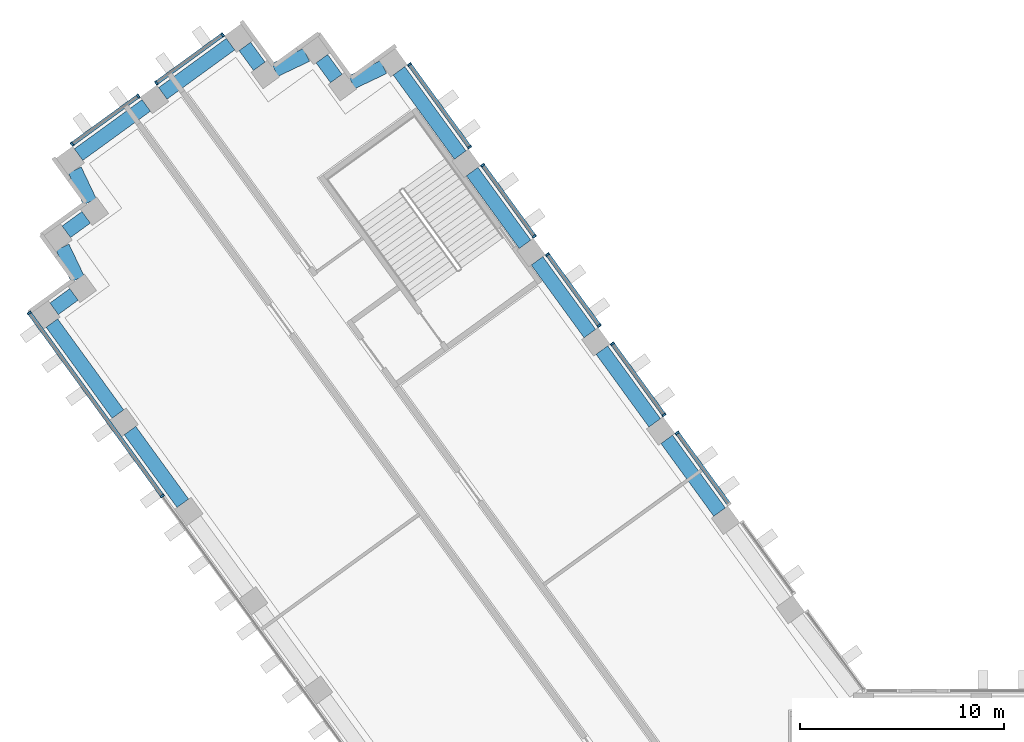
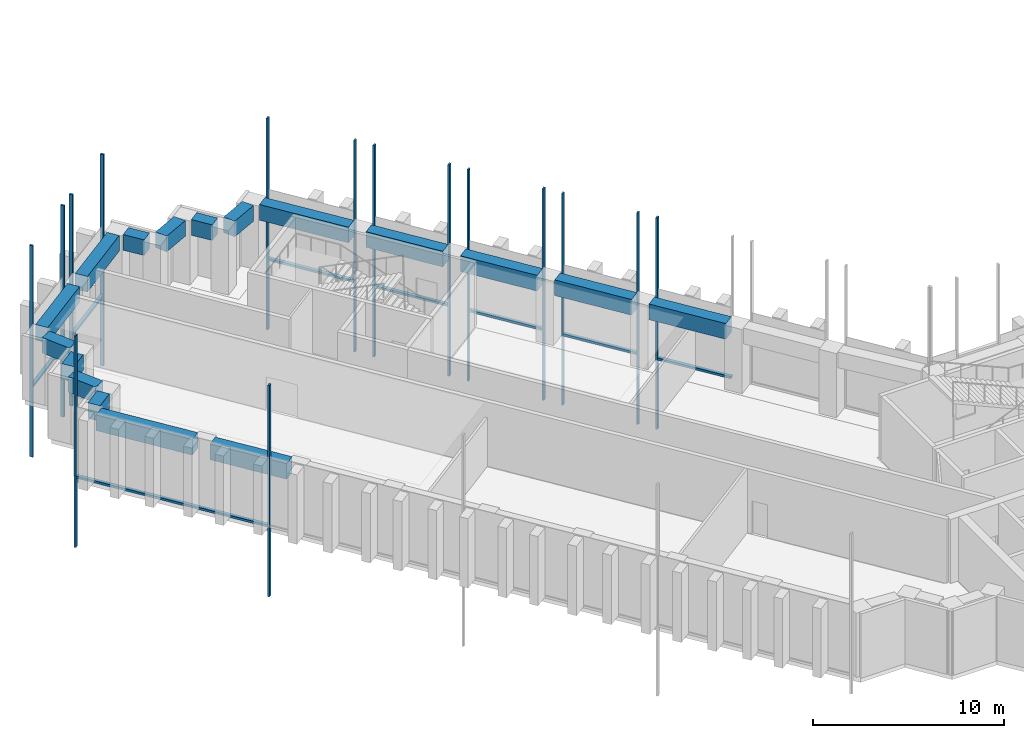
# One storey, part 4 of 18: 23 members, 17 beams, 8 elements without a shape of their own.
"""IFC4 building model written with IfcOpenShell, lengths in metres."""

import ifcopenshell
import ifcopenshell.guid

model = None  # the IFC model being written
_history = None  # IfcOwnerHistory: only IFC2X3 demands one
_inside = {}  # id of a spatial element -> (the spatial element, [elements in it])
_under = {}  # id of a project, library or spatial element -> (it, [spatial elements below it])
_declared = {}  # id of a project -> (the project, [libraries it declares])
_typed = {}  # id of a type object -> (the type object, [elements of that type])
_made_of = {}  # id of a material, layer set ... -> (it, [elements and type objects made of it])


def new_model(schema):
    """Start an empty IFC model of exactly this schema.

    Asked for "IFC4X3", IfcOpenShell would pick the latest addendum, in which some entities
    have other attributes; the version numbers below select the first issue.
    IFC2X3 requires an IfcOwnerHistory on every rooted entity: one is made here for all.
    """
    global model, _history
    if schema == "IFC4X3":
        model = ifcopenshell.file(schema_version=(4, 3, 0, 0))
    else:
        model = ifcopenshell.file(schema=schema)
    _inside.clear()
    _under.clear()
    _declared.clear()
    _typed.clear()
    _made_of.clear()
    _history = None
    if model.schema == "IFC2X3":
        org = make("IfcOrganization", Name="unknown")
        user = make(
            "IfcPersonAndOrganization",
            ThePerson=make("IfcPerson", FamilyName="unknown"),
            TheOrganization=org,
        )
        app = make(
            "IfcApplication",
            ApplicationDeveloper=org,
            Version="unknown",
            ApplicationFullName="unknown",
            ApplicationIdentifier="unknown",
        )
        _history = make(
            "IfcOwnerHistory",
            OwningUser=user,
            OwningApplication=app,
            ChangeAction="ADDED",
            CreationDate=0,
        )
    return model


def make(cls, **values):
    """One entity of the class cls with the attributes given. An attribute that is None is left unset."""
    return model.create_entity(
        cls, **{name: value for name, value in values.items() if value is not None}
    )


def rooted(cls, **values):
    """An entity with a GlobalId (a new one), such as an element, a storey or a relation."""
    return make(cls, GlobalId=ifcopenshell.guid.new(), OwnerHistory=_history, **values)


def si_unit(unit_type, name, prefix=None):
    """IfcSIUnit, for example si_unit("LENGTHUNIT", "METRE", prefix="MILLI")."""
    return make("IfcSIUnit", UnitType=unit_type, Prefix=prefix, Name=name)


def assignment(units):
    """IfcUnitAssignment: the units of a project."""
    return None if units is None else make("IfcUnitAssignment", Units=units)


def point(xyz):
    """IfcCartesianPoint."""
    return None if xyz is None else make("IfcCartesianPoint", Coordinates=xyz)


def direction(xyz):
    """IfcDirection."""
    return None if xyz is None else make("IfcDirection", DirectionRatios=xyz)


def frame(location, z_axis=None, x_axis=None):
    """IfcAxis2Placement3D, a coordinate frame: its origin and axes. An axis left out is left unset."""
    return make(
        "IfcAxis2Placement3D",
        Location=point(location),
        Axis=direction(z_axis),
        RefDirection=direction(x_axis),
    )


def frame_2d(location, x_axis=None):
    """IfcAxis2Placement2D, a coordinate frame in the plane: its origin and x axis."""
    return make(
        "IfcAxis2Placement2D", Location=point(location), RefDirection=direction(x_axis)
    )


def origin():
    """The frame at (0, 0, 0) with its axes left unset."""
    return frame((0.0, 0.0, 0.0))


def origin_2d():
    """The frame at (0, 0) in the plane with its x axis left unset."""
    return frame_2d((0.0, 0.0))


def place(relative_to, where):
    """IfcLocalPlacement: puts the frame where relative to a parent placement (None: the world)."""
    return make(
        "IfcLocalPlacement", PlacementRelTo=relative_to, RelativePlacement=where
    )


def context(
    kind, dimensions, precision=None, world=None, true_north=None, identifier=None
):
    """IfcGeometricRepresentationContext, for example the 3D "Model" context."""
    return make(
        "IfcGeometricRepresentationContext",
        ContextIdentifier=identifier,
        ContextType=kind,
        CoordinateSpaceDimension=dimensions,
        Precision=precision,
        WorldCoordinateSystem=world,
        TrueNorth=true_north,
    )


def subcontext(parent, identifier, kind, view, scale=None):
    """IfcGeometricRepresentationSubContext, for example "Body" below "Model"."""
    return make(
        "IfcGeometricRepresentationSubContext",
        ContextIdentifier=identifier,
        ContextType=kind,
        ParentContext=parent,
        TargetScale=scale,
        TargetView=view,
    )


def project(units=None, contexts=None):
    """IfcProject with its units and contexts."""
    return rooted(
        "IfcProject",
        Name="project",
        RepresentationContexts=contexts,
        UnitsInContext=assignment(units),
    )


def spatial(cls, under=None, at=None, **own):
    """A site, building, storey or space (cls), placed at a placement, below another one or the project."""
    s = rooted(cls, ObjectPlacement=at, **own)
    if under is not None:
        _under.setdefault(under.id(), (under, []))[1].append(s)
    return s


def profile(cls, at=None, kind="AREA", **sizes):
    """A parametric profile (cls). Its sizes go by their IFC names, for example OverallWidth=200.0."""
    return make(cls, ProfileType=kind, Position=at, **sizes)


def rectangle(**sizes):
    """IfcRectangleProfileDef."""
    return profile("IfcRectangleProfileDef", **sizes)


def extrude(swept, where, along, depth):
    """IfcExtrudedAreaSolid: the profile swept, set in the frame where, extruded along a direction by depth."""
    return make(
        "IfcExtrudedAreaSolid",
        SweptArea=swept,
        Position=where,
        ExtrudedDirection=direction(along),
        Depth=depth,
    )


def shape(context_of_items, identifier, shape_type, items):
    """IfcShapeRepresentation: the items that make up one representation, for example the "Body"."""
    return make(
        "IfcShapeRepresentation",
        ContextOfItems=context_of_items,
        RepresentationIdentifier=identifier,
        RepresentationType=shape_type,
        Items=items,
    )


def material(Name=None, Category=None):
    """IfcMaterial."""
    return make("IfcMaterial", Name=Name, Category=Category)


def material_profile(
    of_material, cross_section, Name=None, Category=None, Priority=None
):
    """IfcMaterialProfile: a cross section and its material."""
    return make(
        "IfcMaterialProfile",
        Name=Name,
        Material=of_material,
        Profile=cross_section,
        Priority=Priority,
        Category=Category,
    )


def profile_set(profiles, Name=None, composite=None):
    """IfcMaterialProfileSet."""
    return make(
        "IfcMaterialProfileSet",
        Name=Name,
        MaterialProfiles=profiles,
        CompositeProfile=composite,
    )


def made_of(thing, what):
    """Note that an element or type object is made of a material, layer set ...; save() writes the relation."""
    if what is not None:
        _made_of.setdefault(what.id(), (what, []))[1].append(thing)
    return thing


def type_object(cls, material=None, **own):
    """A type object (cls), such as IfcWallType, which elements share."""
    return made_of(rooted(cls, **own), material)


def element(
    cls,
    number,
    at=None,
    inside=None,
    cuts=None,
    type_object=None,
    material=None,
    context=None,
    identifier="Body",
    shape_type=None,
    held_by="IfcProductDefinitionShape",
    body=None,
    shapes=None,
    **own,
):
    """One element of the class cls, such as IfcWall. Its Tag is "e" and its number.

    at: its placement. inside: the storey or other place that contains it. cuts: it is an
    opening in that element (IfcRelVoidsElement). A single representation is given by context,
    identifier, shape_type and body (its items); several are given by shapes. held_by: the class
    of the entity that holds the representations. save() writes the other relations.
    """
    e = rooted(cls, Tag="e%d" % number, ObjectPlacement=at, **own)
    if body is not None:
        shapes = [shape(context, identifier, shape_type, body)]
    if shapes is not None:
        e.Representation = make(held_by, Representations=shapes)
    if inside is not None:
        _inside.setdefault(inside.id(), (inside, []))[1].append(e)
    if cuts is not None:
        rooted(
            "IfcRelVoidsElement", RelatingBuildingElement=cuts, RelatedOpeningElement=e
        )
    if type_object is not None:
        _typed.setdefault(type_object.id(), (type_object, []))[1].append(e)
    return made_of(e, material)


def aggregate(whole, parts):
    """IfcRelAggregates: a whole, such as a stair, and the parts it consists of."""
    return rooted("IfcRelAggregates", RelatingObject=whole, RelatedObjects=parts)


def save(model, path):
    """Write the relations noted so far, then the file.

    IfcRelAggregates (storeys below a building ...), IfcRelContainedInSpatialStructure (elements
    in a storey), IfcRelDefinesByType, IfcRelAssociatesMaterial and IfcRelDeclares: one each for
    every whole, place, type object, material and project.
    """
    for whole, parts in _under.values():
        aggregate(whole, parts)
    for where, things in _inside.values():
        rooted(
            "IfcRelContainedInSpatialStructure",
            RelatedElements=things,
            RelatingStructure=where,
        )
    for kind, things in _typed.values():
        rooted("IfcRelDefinesByType", RelatedObjects=things, RelatingType=kind)
    for what, things in _made_of.values():
        rooted("IfcRelAssociatesMaterial", RelatedObjects=things, RelatingMaterial=what)
    for by, libraries in _declared.values():
        rooted("IfcRelDeclares", RelatingContext=by, RelatedDefinitions=libraries)
    model.write(path)


model = new_model("IFC4")

# Units and contexts
model_context = context("Model", 3, precision=1e-05, world=origin(), true_north=direction((0.0, 1.0)))
body_context = subcontext(model_context, "Body", "Model", "MODEL_VIEW")
ifc_project = project(units=[si_unit("LENGTHUNIT", "METRE"), si_unit("AREAUNIT", "SQUARE_METRE"), si_unit("VOLUMEUNIT", "CUBIC_METRE"), si_unit("PLANEANGLEUNIT", "RADIAN"), si_unit("MASSUNIT", "GRAM", prefix="KILO")], contexts=[model_context])

# Site, building, storey
site_placement = place(None, origin())
site = spatial("IfcSite", under=ifc_project, at=site_placement, CompositionType="ELEMENT")
building_placement = place(site_placement, origin())
building = spatial("IfcBuilding", under=site, at=building_placement, Name="Quipu Civic Tower", CompositionType="ELEMENT")
storey_placement = place(building_placement, frame((0.0, 0.0, 16.0)))
storey = spatial("IfcBuildingStorey", under=building, at=storey_placement, Name="L03", CompositionType="ELEMENT", Elevation=16.0)

# Curtain wall, member
ifc_material_1 = material(Name="Insulated glass unit", Category="glass")
curtain_wall_type = type_object("IfcCurtainWallType", Name="Public services curtain wall CW3", PredefinedType="NOTDEFINED", material=ifc_material_1)
curtain_wall_1_placement = place(storey_placement, origin())
curtain_wall_1 = element("IfcCurtainWall", 1, at=curtain_wall_1_placement, inside=storey, type_object=curtain_wall_type, Name="Public services curtain wall CW3 L02 run 3", PredefinedType="NOTDEFINED")
ifc_material_2 = material(Name="Anodised aluminium", Category="aluminium")
ifc_material_profile_1 = material_profile(ifc_material_2, rectangle(XDim=0.199951171875, YDim=0.10009765625, at=origin_2d()), Name="RECT 200x100")
ifc_profile_set_1 = profile_set([ifc_material_profile_1], Name="Anodised aluminium")
member_type_1 = type_object("IfcMemberType", Name="Mullion CW3", PredefinedType="MULLION", material=ifc_profile_set_1)
member_1_placement = place(storey_placement, frame((-23.51318359375, 23.719970703125, -4.429931640625), z_axis=(0.0, 0.0, 1.0), x_axis=(-0.809024930992, -0.587774328321, 0.0)))
member_1 = element("IfcMember", 2, at=member_1_placement, type_object=member_type_1, Name="CW3 mullion 2", PredefinedType="MULLION", context=body_context, shape_type="SweptSolid", body=[
    extrude(rectangle(XDim=0.199951171875, YDim=0.10009765625, at=origin_2d()), origin(), (0.0, 0.0, 1.0), 13.5),
])

# Curtain wall, members
curtain_wall_2_placement = place(storey_placement, origin())
curtain_wall_2 = element("IfcCurtainWall", 3, at=curtain_wall_2_placement, inside=storey, type_object=curtain_wall_type, Name="Public services curtain wall CW3 L02 run 4", PredefinedType="NOTDEFINED")
member_2_placement = place(storey_placement, frame((-24.15966796875, 24.60986328125, -4.429931640625), z_axis=(0.0, 0.0, 1.0), x_axis=(-0.809014123608, -0.587789203544, 0.0)))
member_2 = element("IfcMember", 4, at=member_2_placement, type_object=member_type_1, Name="CW3 mullion 1", PredefinedType="MULLION", context=body_context, shape_type="SweptSolid", body=[
    extrude(rectangle(XDim=0.199951171875, YDim=0.10009765625, at=origin_2d()), origin(), (0.0, 0.0, 1.0), 13.5),
])
member_3_placement = place(storey_placement, frame((-26.687255859375, 28.088623046875, -4.429931640625), z_axis=(0.0, 0.0, 1.0), x_axis=(-0.809014123608, -0.587789203544, 0.0)))
member_3 = element("IfcMember", 5, at=member_3_placement, type_object=member_type_1, Name="CW3 mullion 2", PredefinedType="MULLION", context=body_context, shape_type="SweptSolid", body=[
    extrude(rectangle(XDim=0.199951171875, YDim=0.10009765625, at=origin_2d()), origin(), (0.0, 0.0, 1.0), 13.5),
])

curtain_wall_3_placement = place(storey_placement, origin())
curtain_wall_3 = element("IfcCurtainWall", 6, at=curtain_wall_3_placement, inside=storey, type_object=curtain_wall_type, Name="Public services curtain wall CW3 L02 run 5", PredefinedType="NOTDEFINED")
member_4_placement = place(storey_placement, frame((-27.333740234375, 28.978759765625, -4.429931640625), z_axis=(0.0, 0.0, 1.0), x_axis=(-0.809017078969, -0.587785135859, 0.0)))
member_4 = element("IfcMember", 7, at=member_4_placement, type_object=member_type_1, Name="CW3 mullion 1", PredefinedType="MULLION", context=body_context, shape_type="SweptSolid", body=[
    extrude(rectangle(XDim=0.199951171875, YDim=0.10009765625, at=origin_2d()), origin(), (0.0, 0.0, 1.0), 13.5),
])
member_5_placement = place(storey_placement, frame((-29.861328125, 32.457275390625, -4.429931640625), z_axis=(0.0, 0.0, 1.0), x_axis=(-0.809017078969, -0.587785135859, 0.0)))
member_5 = element("IfcMember", 8, at=member_5_placement, type_object=member_type_1, Name="CW3 mullion 2", PredefinedType="MULLION", context=body_context, shape_type="SweptSolid", body=[
    extrude(rectangle(XDim=0.199951171875, YDim=0.10009765625, at=origin_2d()), origin(), (0.0, 0.0, 1.0), 13.5),
])

curtain_wall_4_placement = place(storey_placement, origin())
curtain_wall_4 = element("IfcCurtainWall", 9, at=curtain_wall_4_placement, inside=storey, type_object=curtain_wall_type, Name="Public services curtain wall CW3 L02 run 6", PredefinedType="NOTDEFINED")
member_6_placement = place(storey_placement, frame((-30.5078125, 33.34716796875, -4.429931640625), z_axis=(0.0, 0.0, 1.0), x_axis=(-0.809014123608, -0.587789203544, 0.0)))
member_6 = element("IfcMember", 10, at=member_6_placement, type_object=member_type_1, Name="CW3 mullion 1", PredefinedType="MULLION", context=body_context, shape_type="SweptSolid", body=[
    extrude(rectangle(XDim=0.199951171875, YDim=0.10009765625, at=origin_2d()), origin(), (0.0, 0.0, 1.0), 13.5),
])
member_7_placement = place(storey_placement, frame((-33.035400390625, 36.825927734375, -4.429931640625), z_axis=(0.0, 0.0, 1.0), x_axis=(-0.809014123608, -0.587789203544, 0.0)))
member_7 = element("IfcMember", 11, at=member_7_placement, type_object=member_type_1, Name="CW3 mullion 2", PredefinedType="MULLION", context=body_context, shape_type="SweptSolid", body=[
    extrude(rectangle(XDim=0.199951171875, YDim=0.10009765625, at=origin_2d()), origin(), (0.0, 0.0, 1.0), 13.5),
])

curtain_wall_5_placement = place(storey_placement, origin())
curtain_wall_5 = element("IfcCurtainWall", 12, at=curtain_wall_5_placement, inside=storey, type_object=curtain_wall_type, Name="Public services curtain wall CW3 L02 run 7", PredefinedType="NOTDEFINED")
member_8_placement = place(storey_placement, frame((-33.681884765625, 37.716064453125, -4.429931640625), z_axis=(0.0, 0.0, 1.0), x_axis=(-0.809018644949, -0.587782980465, 0.0)))
member_8 = element("IfcMember", 13, at=member_8_placement, type_object=member_type_1, Name="CW3 mullion 1", PredefinedType="MULLION", context=body_context, shape_type="SweptSolid", body=[
    extrude(rectangle(XDim=0.199951171875, YDim=0.10009765625, at=origin_2d()), origin(), (0.0, 0.0, 1.0), 13.5),
])
member_9_placement = place(storey_placement, frame((-36.61767578125, 41.7568359375, -4.429931640625), z_axis=(0.0, 0.0, 1.0), x_axis=(-0.809018644949, -0.587782980465, 0.0)))
member_9 = element("IfcMember", 14, at=member_9_placement, type_object=member_type_1, Name="CW3 mullion 2", PredefinedType="MULLION", context=body_context, shape_type="SweptSolid", body=[
    extrude(rectangle(XDim=0.199951171875, YDim=0.10009765625, at=origin_2d()), origin(), (0.0, 0.0, 1.0), 13.5),
])

curtain_wall_6_placement = place(storey_placement, origin())
curtain_wall_6 = element("IfcCurtainWall", 15, at=curtain_wall_6_placement, inside=storey, type_object=curtain_wall_type, Name="Public services curtain wall CW3 L02 run 12", PredefinedType="NOTDEFINED")
member_10_placement = place(storey_placement, frame((-45.766845703125, 43.206298828125, -4.429931640625), z_axis=(0.0, 0.0, 1.0), x_axis=(0.587767018974, -0.809030241342, 0.0)))
member_10 = element("IfcMember", 16, at=member_10_placement, type_object=member_type_1, Name="CW3 mullion 1", PredefinedType="MULLION", context=body_context, shape_type="SweptSolid", body=[
    extrude(rectangle(XDim=0.199951171875, YDim=0.10009765625, at=origin_2d()), origin(), (0.0, 0.0, 1.0), 13.5),
])
member_11_placement = place(storey_placement, frame((-49.003173828125, 40.85498046875, -4.429931640625), z_axis=(0.0, 0.0, 1.0), x_axis=(0.587767018974, -0.809030241342, 0.0)))
member_11 = element("IfcMember", 17, at=member_11_placement, type_object=member_type_1, Name="CW3 mullion 2", PredefinedType="MULLION", context=body_context, shape_type="SweptSolid", body=[
    extrude(rectangle(XDim=0.199951171875, YDim=0.10009765625, at=origin_2d()), origin(), (0.0, 0.0, 1.0), 13.5),
])

curtain_wall_7_placement = place(storey_placement, origin())
curtain_wall_7 = element("IfcCurtainWall", 18, at=curtain_wall_7_placement, inside=storey, type_object=curtain_wall_type, Name="Public services curtain wall CW3 L02 run 13", PredefinedType="NOTDEFINED")
member_12_placement = place(storey_placement, frame((-49.89306640625, 40.20849609375, -4.429931640625), z_axis=(0.0, 0.0, 1.0), x_axis=(0.587788590681, -0.809014568883, 0.0)))
member_12 = element("IfcMember", 19, at=member_12_placement, type_object=member_type_1, Name="CW3 mullion 1", PredefinedType="MULLION", context=body_context, shape_type="SweptSolid", body=[
    extrude(rectangle(XDim=0.199951171875, YDim=0.10009765625, at=origin_2d()), origin(), (0.0, 0.0, 1.0), 13.5),
])
member_13_placement = place(storey_placement, frame((-53.12744140625, 37.8583984375, -4.429931640625), z_axis=(0.0, 0.0, 1.0), x_axis=(0.587788590681, -0.809014568883, 0.0)))
member_13 = element("IfcMember", 20, at=member_13_placement, type_object=member_type_1, Name="CW3 mullion 2", PredefinedType="MULLION", context=body_context, shape_type="SweptSolid", body=[
    extrude(rectangle(XDim=0.199951171875, YDim=0.10009765625, at=origin_2d()), origin(), (0.0, 0.0, 1.0), 13.5),
])

curtain_wall_8_placement = place(storey_placement, origin())
curtain_wall_8 = element("IfcCurtainWall", 21, at=curtain_wall_8_placement, inside=storey, type_object=curtain_wall_type, Name="Public services curtain wall CW3 L02 run 18", PredefinedType="NOTDEFINED")
member_14_placement = place(storey_placement, frame((-55.224609375, 29.59814453125, -4.429931640625), z_axis=(0.0, 0.0, 1.0), x_axis=(0.809016918788, 0.587785356329, 0.0)))
member_14 = element("IfcMember", 22, at=member_14_placement, type_object=member_type_1, Name="CW3 mullion 1", PredefinedType="MULLION", context=body_context, shape_type="SweptSolid", body=[
    extrude(rectangle(XDim=0.199951171875, YDim=0.10009765625, at=origin_2d()), origin(), (0.0, 0.0, 1.0), 13.5),
])
member_15_placement = place(storey_placement, frame((-48.717041015625, 20.64111328125, -4.429931640625), z_axis=(0.0, 0.0, 1.0), x_axis=(0.809016918788, 0.587785356329, 0.0)))
member_15 = element("IfcMember", 23, at=member_15_placement, type_object=member_type_1, Name="CW3 mullion 2", PredefinedType="MULLION", context=body_context, shape_type="SweptSolid", body=[
    extrude(rectangle(XDim=0.199951171875, YDim=0.10009765625, at=origin_2d()), origin(), (0.0, 0.0, 1.0), 13.5),
])

# Beams
ifc_material_3 = material(Name="Concrete C50/60", Category="concrete")
ifc_material_profile_2 = material_profile(ifc_material_3, rectangle(XDim=0.699951171875, YDim=1.0, at=origin_2d()), Name="RC700x1000")
ifc_profile_set_2 = profile_set([ifc_material_profile_2], Name="Concrete C50/60")
beam_type = type_object("IfcBeamType", Name="Spandrel beam RC 700x1000 C50/60", PredefinedType="SPANDREL", material=ifc_profile_set_2)
for number, where, z_axis, x_axis, name in (
    (24, (-21.441162109375, 19.848388671875, 3.60009765625), (-0.587759228046, 0.809035901457, 0.0), (-0.809035901457, -0.587759228046, 0.0), "Spandrel beam L03 W-IN-02 to W-IN-03"),
    (25, (-24.615234375, 24.217041015625, 3.60009765625), (-0.587732844487, 0.809055068281, 0.0), (-0.809055068281, -0.587732844487, 0.0), "Spandrel beam L03 W-IN-03 to W-IN-04"),
    (26, (-27.7890625, 28.5859375, 3.60009765625), (-0.587759228046, 0.809035901457, 0.0), (-0.809035901457, -0.587759228046, 0.0), "Spandrel beam L03 W-IN-04 to W-IN-05"),
    (27, (-30.962890625, 32.954833984375, 3.60009765625), (-0.587759228046, 0.809035901457, 0.0), (-0.809035901457, -0.587759228046, 0.0), "Spandrel beam L03 W-IN-05 to W-IN-06"),
):
    element("IfcBeam", number, at=place(storey_placement, frame(where, z_axis=z_axis, x_axis=x_axis)), inside=storey, type_object=beam_type, Name=name, PredefinedType="SPANDREL", context=body_context, shape_type="SweptSolid", body=[
        extrude(rectangle(XDim=0.699951171875, YDim=1.0, at=origin_2d()), origin(), (0.0, 0.0, 1.0), 4.400146484375),
    ])
beam_1_placement = place(storey_placement, frame((-34.13671875, 37.32373046875, 3.60009765625), z_axis=(-0.587747065363, 0.809044737426, 0.0), x_axis=(-0.809044737426, -0.587747065363, 0.0)))
element("IfcBeam", 28, at=beam_1_placement, inside=storey, type_object=beam_type, Name="Spandrel beam L03 W-IN-06 to T-Wi.0-W50", PredefinedType="SPANDREL", context=body_context, shape_type="SweptSolid", body=[
    extrude(rectangle(XDim=0.699951171875, YDim=1.0, at=origin_2d()), origin(), (0.0, 0.0, 1.0), 5.0947265625),
])
beam_2_placement = place(storey_placement, frame((-37.8837890625, 41.630859375, 3.60009765625), z_axis=(-0.902482283387, -0.43072697637, 0.0), x_axis=(0.43072697637, -0.902482283387, 0.0)))
element("IfcBeam", 29, at=beam_2_placement, inside=storey, type_object=beam_type, Name="Spandrel beam L03 T-Wi.0-W50 to T-Wi.1-W50", PredefinedType="SPANDREL", context=body_context, shape_type="SweptSolid", body=[
    extrude(rectangle(XDim=0.699951171875, YDim=1.0, at=origin_2d()), origin(), (0.0, 0.0, 1.0), 1.731689453125),
])
beam_3_placement = place(storey_placement, frame((-40.19970703125, 41.0703125, 3.60009765625), z_axis=(-0.588316837584, 0.808630508091, 0.0), x_axis=(-0.808630508091, -0.588316837584, 0.0)))
element("IfcBeam", 30, at=beam_3_placement, inside=storey, type_object=beam_type, Name="Spandrel beam L03 T-Wi.1-W50 to T-Wi.2-W50", PredefinedType="SPANDREL", context=body_context, shape_type="SweptSolid", body=[
    extrude(rectangle(XDim=0.699951171875, YDim=1.0, at=origin_2d()), origin(), (0.0, 0.0, 1.0), 1.2001953125),
])
beam_4_placement = place(storey_placement, frame((-41.658935546875, 42.22607421875, 3.60009765625), z_axis=(-0.902651065962, -0.430373155666, 0.0), x_axis=(0.430373155666, -0.902651065962, 0.0)))
element("IfcBeam", 31, at=beam_4_placement, inside=storey, type_object=beam_type, Name="Spandrel beam L03 T-Wi.2-W50 to T-Wi.3-W50", PredefinedType="SPANDREL", context=body_context, shape_type="SweptSolid", body=[
    extrude(rectangle(XDim=0.699951171875, YDim=1.0, at=origin_2d()), origin(), (0.0, 0.0, 1.0), 1.724609375),
])
beam_5_placement = place(storey_placement, frame((-43.96875, 41.669189453125, 3.60009765625), z_axis=(-0.588461629015, 0.808525145667, 0.0), x_axis=(-0.808525145667, -0.588461629015, 0.0)))
element("IfcBeam", 32, at=beam_5_placement, inside=storey, type_object=beam_type, Name="Spandrel beam L03 T-Wi.3-W50 to T-Wi.4-W50", PredefinedType="SPANDREL", context=body_context, shape_type="SweptSolid", body=[
    extrude(rectangle(XDim=0.699951171875, YDim=1.0, at=origin_2d()), origin(), (0.0, 0.0, 1.0), 1.201416015625),
])
beam_6_placement = place(storey_placement, frame((-45.37451171875, 42.7509765625, 3.60009765625), z_axis=(-0.808983206573, -0.587831754401, 0.0), x_axis=(0.587831754401, -0.808983206573, 0.0)))
element("IfcBeam", 33, at=beam_6_placement, inside=storey, type_object=beam_type, Name="Spandrel beam L03 T-Wi.4-W50 to TIP-W-01-W50", PredefinedType="SPANDREL", context=body_context, shape_type="SweptSolid", body=[
    extrude(rectangle(XDim=0.699951171875, YDim=1.0, at=origin_2d()), origin(), (0.0, 0.0, 1.0), 4.10009765625),
])
beam_7_placement = place(storey_placement, frame((-49.500244140625, 39.7529296875, 3.60009765625), z_axis=(-0.808980758408, -0.587835123589, 0.0), x_axis=(0.587835123589, -0.808980758408, 0.0)))
element("IfcBeam", 34, at=beam_7_placement, inside=storey, type_object=beam_type, Name="Spandrel beam L03 TIP-W-01-W50 to T-Wo.0-W50", PredefinedType="SPANDREL", context=body_context, shape_type="SweptSolid", body=[
    extrude(rectangle(XDim=0.699951171875, YDim=1.0, at=origin_2d()), origin(), (0.0, 0.0, 1.0), 4.097900390625),
])
beam_8_placement = place(storey_placement, frame((-53.001220703125, 36.5908203125, 3.60009765625), z_axis=(0.430185740912, -0.902740399182, 0.0), x_axis=(0.902740399182, 0.430185740912, 0.0)))
element("IfcBeam", 35, at=beam_8_placement, inside=storey, type_object=beam_type, Name="Spandrel beam L03 T-Wo.0-W50 to T-Wo.1-W50", PredefinedType="SPANDREL", context=body_context, shape_type="SweptSolid", body=[
    extrude(rectangle(XDim=0.699951171875, YDim=1.0, at=origin_2d()), origin(), (0.0, 0.0, 1.0), 1.728759765625),
])
beam_9_placement = place(storey_placement, frame((-52.443115234375, 34.27685546875, 3.60009765625), z_axis=(-0.808586856323, -0.588376831446, 0.0), x_axis=(0.588376831446, -0.808586856323, 0.0)))
element("IfcBeam", 36, at=beam_9_placement, inside=storey, type_object=beam_type, Name="Spandrel beam L03 T-Wo.1-W50 to T-Wo.2-W50", PredefinedType="SPANDREL", context=body_context, shape_type="SweptSolid", body=[
    extrude(rectangle(XDim=0.699951171875, YDim=1.0, at=origin_2d()), origin(), (0.0, 0.0, 1.0), 1.202880859375),
])
beam_10_placement = place(storey_placement, frame((-53.6005859375, 32.81640625, 3.60009765625), z_axis=(0.431370473785, -0.902174880135, 0.0), x_axis=(0.902174880135, 0.431370473785, 0.0)))
element("IfcBeam", 37, at=beam_10_placement, inside=storey, type_object=beam_type, Name="Spandrel beam L03 T-Wo.2-W50 to T-Wo.3-W50", PredefinedType="SPANDREL", context=body_context, shape_type="SweptSolid", body=[
    extrude(rectangle(XDim=0.699951171875, YDim=1.0, at=origin_2d()), origin(), (0.0, 0.0, 1.0), 1.727294921875),
])
beam_11_placement = place(storey_placement, frame((-53.040283203125, 30.50537109375, 3.60009765625), z_axis=(-0.808630508091, -0.588316837584, 0.0), x_axis=(0.588316837584, -0.808630508091, 0.0)))
element("IfcBeam", 38, at=beam_11_placement, inside=storey, type_object=beam_type, Name="Spandrel beam L03 T-Wo.3-W50 to T-Wo.4-W50", PredefinedType="SPANDREL", context=body_context, shape_type="SweptSolid", body=[
    extrude(rectangle(XDim=0.699951171875, YDim=1.0, at=origin_2d()), origin(), (0.0, 0.0, 1.0), 1.2001953125),
])
beam_12_placement = place(storey_placement, frame((-54.12109375, 29.1005859375, 3.60009765625), z_axis=(0.587765432916, -0.809031393624, 0.0), x_axis=(0.809031393624, 0.587765432916, 0.0)))
element("IfcBeam", 39, at=beam_12_placement, inside=storey, type_object=beam_type, Name="Spandrel beam L03 T-Wo.4-W50 to W-OUT-07", PredefinedType="SPANDREL", context=body_context, shape_type="SweptSolid", body=[
    extrude(rectangle(XDim=0.699951171875, YDim=1.0, at=origin_2d()), origin(), (0.0, 0.0, 1.0), 5.503662109375),
])
beam_13_placement = place(storey_placement, frame((-50.298583984375, 23.839111328125, 3.60009765625), z_axis=(0.587759228046, -0.809035901457, 0.0), x_axis=(0.809035901457, 0.587759228046, 0.0)))
element("IfcBeam", 40, at=beam_13_placement, inside=storey, type_object=beam_type, Name="Spandrel beam L03 W-OUT-07 to W-OUT-06", PredefinedType="SPANDREL", context=body_context, shape_type="SweptSolid", body=[
    extrude(rectangle(XDim=0.699951171875, YDim=1.0, at=origin_2d()), origin(), (0.0, 0.0, 1.0), 4.400146484375),
])

# Member
ifc_material_4 = material(Name="Anodised aluminium", Category="aluminium")
ifc_material_profile_3 = material_profile(ifc_material_4, rectangle(XDim=0.199951171875, YDim=0.139892578125, at=origin_2d()), Name="RECT 200x140")
ifc_profile_set_3 = profile_set([ifc_material_profile_3], Name="Anodised aluminium")
member_type_2 = type_object("IfcMemberType", Name="Transom CW3", PredefinedType="USERDEFINED", material=ifc_profile_set_3)
member_16_placement = place(storey_placement, frame((-21.01513671875, 20.281494140625, 0.070068359375), z_axis=(-0.587746486169, 0.809045158194, 0.0), x_axis=(-0.809045158194, -0.587746486169, 0.0)))
member_16 = element("IfcMember", 41, at=member_16_placement, type_object=member_type_2, Name="CW3 transom 1.2", ObjectType="TRANSOM", PredefinedType="USERDEFINED", context=body_context, shape_type="SweptSolid", body=[
    extrude(rectangle(XDim=0.199951171875, YDim=0.139892578125, at=origin_2d()), origin(), (0.0, 0.0, 1.0), 4.199951171875),
])

aggregate(curtain_wall_1, [member_1, member_16])

member_17_placement = place(storey_placement, frame((-24.18896484375, 24.650390625, 0.070068359375), z_axis=(-0.587812175236, 0.808997433027, 0.0), x_axis=(-0.808997433027, -0.587812175236, 0.0)))
member_17 = element("IfcMember", 42, at=member_17_placement, type_object=member_type_2, Name="CW3 transom 1.2", ObjectType="TRANSOM", PredefinedType="USERDEFINED", context=body_context, shape_type="SweptSolid", body=[
    extrude(rectangle(XDim=0.199951171875, YDim=0.139892578125, at=origin_2d()), origin(), (0.0, 0.0, 1.0), 4.199951171875),
])

aggregate(curtain_wall_2, [member_2, member_3, member_17])

member_18_placement = place(storey_placement, frame((-27.36328125, 29.01904296875, 0.070068359375), z_axis=(-0.587746486169, 0.809045158194, 0.0), x_axis=(-0.809045158194, -0.587746486169, 0.0)))
member_18 = element("IfcMember", 43, at=member_18_placement, type_object=member_type_2, Name="CW3 transom 1.2", ObjectType="TRANSOM", PredefinedType="USERDEFINED", context=body_context, shape_type="SweptSolid", body=[
    extrude(rectangle(XDim=0.199951171875, YDim=0.139892578125, at=origin_2d()), origin(), (0.0, 0.0, 1.0), 4.199951171875),
])

aggregate(curtain_wall_3, [member_4, member_5, member_18])

member_19_placement = place(storey_placement, frame((-30.537109375, 33.3876953125, 0.070068359375), z_axis=(-0.587784533062, 0.809017516926, 0.0), x_axis=(-0.809017516926, -0.587784533062, 0.0)))
member_19 = element("IfcMember", 44, at=member_19_placement, type_object=member_type_2, Name="CW3 transom 1.2", ObjectType="TRANSOM", PredefinedType="USERDEFINED", context=body_context, shape_type="SweptSolid", body=[
    extrude(rectangle(XDim=0.199951171875, YDim=0.139892578125, at=origin_2d()), origin(), (0.0, 0.0, 1.0), 4.2001953125),
])

aggregate(curtain_wall_4, [member_6, member_7, member_19])

member_20_placement = place(storey_placement, frame((-33.711181640625, 37.756591796875, 0.070068359375), z_axis=(-0.587792001702, 0.809012090599, 0.0), x_axis=(-0.809012090599, -0.587792001702, 0.0)))
member_20 = element("IfcMember", 45, at=member_20_placement, type_object=member_type_2, Name="CW3 transom 1.2", ObjectType="TRANSOM", PredefinedType="USERDEFINED", context=body_context, shape_type="SweptSolid", body=[
    extrude(rectangle(XDim=0.199951171875, YDim=0.139892578125, at=origin_2d()), origin(), (0.0, 0.0, 1.0), 4.89453125),
])

aggregate(curtain_wall_5, [member_8, member_9, member_20])

member_21_placement = place(storey_placement, frame((-45.807373046875, 43.1767578125, 0.070068359375), z_axis=(-0.809041868783, -0.587751014083, 0.0), x_axis=(0.587751014083, -0.809041868783, 0.0)))
member_21 = element("IfcMember", 46, at=member_21_placement, type_object=member_type_2, Name="CW3 transom 1.2", ObjectType="TRANSOM", PredefinedType="USERDEFINED", context=body_context, shape_type="SweptSolid", body=[
    extrude(rectangle(XDim=0.199951171875, YDim=0.139892578125, at=origin_2d()), origin(), (0.0, 0.0, 1.0), 3.89990234375),
])

aggregate(curtain_wall_6, [member_10, member_11, member_21])

member_22_placement = place(storey_placement, frame((-49.93359375, 40.17919921875, 0.070068359375), z_axis=(-0.809009543625, -0.587795507233, 0.0), x_axis=(0.587795507233, -0.809009543625, 0.0)))
member_22 = element("IfcMember", 47, at=member_22_placement, type_object=member_type_2, Name="CW3 transom 1.2", ObjectType="TRANSOM", PredefinedType="USERDEFINED", context=body_context, shape_type="SweptSolid", body=[
    extrude(rectangle(XDim=0.199951171875, YDim=0.139892578125, at=origin_2d()), origin(), (0.0, 0.0, 1.0), 3.89794921875),
])

aggregate(curtain_wall_7, [member_12, member_13, member_22])

member_23_placement = place(storey_placement, frame((-55.1953125, 29.5576171875, 0.070068359375), z_axis=(0.587797192867, -0.809008318905, 0.0), x_axis=(0.809008318905, 0.587797192867, 0.0)))
member_23 = element("IfcMember", 48, at=member_23_placement, type_object=member_type_2, Name="CW3 transom 1.2", ObjectType="TRANSOM", PredefinedType="USERDEFINED", context=body_context, shape_type="SweptSolid", body=[
    extrude(rectangle(XDim=0.199951171875, YDim=0.139892578125, at=origin_2d()), origin(), (0.0, 0.0, 1.0), 10.971435546875),
])

aggregate(curtain_wall_8, [member_14, member_15, member_23])

save(model, "model.ifc")
